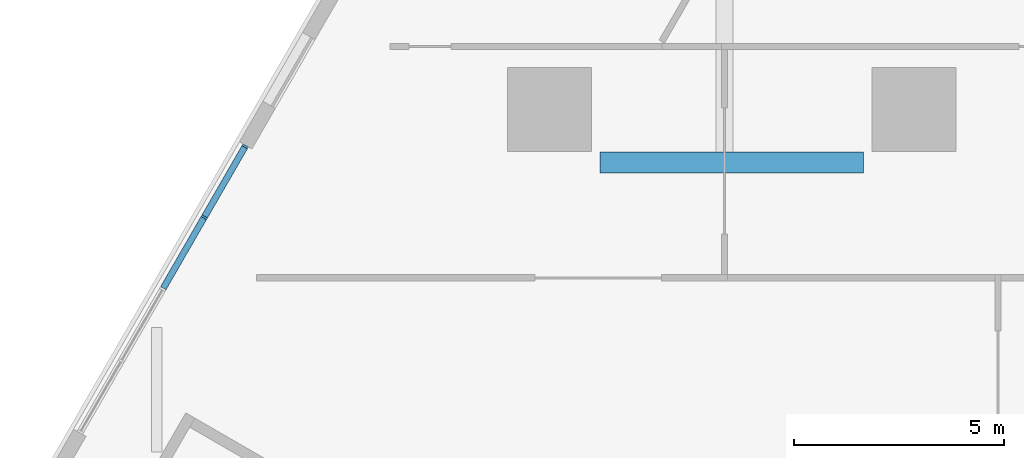
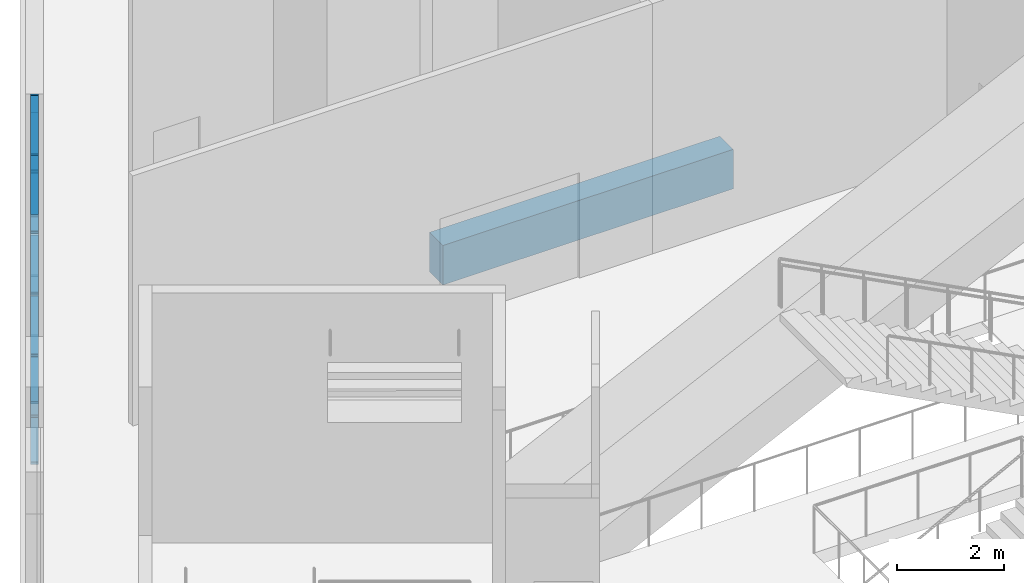
# One storey, part 3 of 27: 14 members, 1 beam, 1 element without a shape of its own.
"""IFC4 building model written with IfcOpenShell, lengths in metres."""

import ifcopenshell
import ifcopenshell.guid

model = None  # the IFC model being written
_history = None  # IfcOwnerHistory: only IFC2X3 demands one
_inside = {}  # id of a spatial element -> (the spatial element, [elements in it])
_under = {}  # id of a project, library or spatial element -> (it, [spatial elements below it])
_declared = {}  # id of a project -> (the project, [libraries it declares])
_typed = {}  # id of a type object -> (the type object, [elements of that type])
_made_of = {}  # id of a material, layer set ... -> (it, [elements and type objects made of it])


def new_model(schema):
    """Start an empty IFC model of exactly this schema.

    Asked for "IFC4X3", IfcOpenShell would pick the latest addendum, in which some entities
    have other attributes; the version numbers below select the first issue.
    IFC2X3 requires an IfcOwnerHistory on every rooted entity: one is made here for all.
    """
    global model, _history
    if schema == "IFC4X3":
        model = ifcopenshell.file(schema_version=(4, 3, 0, 0))
    else:
        model = ifcopenshell.file(schema=schema)
    _inside.clear()
    _under.clear()
    _declared.clear()
    _typed.clear()
    _made_of.clear()
    _history = None
    if model.schema == "IFC2X3":
        org = make("IfcOrganization", Name="unknown")
        user = make(
            "IfcPersonAndOrganization",
            ThePerson=make("IfcPerson", FamilyName="unknown"),
            TheOrganization=org,
        )
        app = make(
            "IfcApplication",
            ApplicationDeveloper=org,
            Version="unknown",
            ApplicationFullName="unknown",
            ApplicationIdentifier="unknown",
        )
        _history = make(
            "IfcOwnerHistory",
            OwningUser=user,
            OwningApplication=app,
            ChangeAction="ADDED",
            CreationDate=0,
        )
    return model


def make(cls, **values):
    """One entity of the class cls with the attributes given. An attribute that is None is left unset."""
    return model.create_entity(
        cls, **{name: value for name, value in values.items() if value is not None}
    )


def rooted(cls, **values):
    """An entity with a GlobalId (a new one), such as an element, a storey or a relation."""
    return make(cls, GlobalId=ifcopenshell.guid.new(), OwnerHistory=_history, **values)


def si_unit(unit_type, name, prefix=None):
    """IfcSIUnit, for example si_unit("LENGTHUNIT", "METRE", prefix="MILLI")."""
    return make("IfcSIUnit", UnitType=unit_type, Prefix=prefix, Name=name)


def assignment(units):
    """IfcUnitAssignment: the units of a project."""
    return None if units is None else make("IfcUnitAssignment", Units=units)


def point(xyz):
    """IfcCartesianPoint."""
    return None if xyz is None else make("IfcCartesianPoint", Coordinates=xyz)


def direction(xyz):
    """IfcDirection."""
    return None if xyz is None else make("IfcDirection", DirectionRatios=xyz)


def frame(location, z_axis=None, x_axis=None):
    """IfcAxis2Placement3D, a coordinate frame: its origin and axes. An axis left out is left unset."""
    return make(
        "IfcAxis2Placement3D",
        Location=point(location),
        Axis=direction(z_axis),
        RefDirection=direction(x_axis),
    )


def frame_2d(location, x_axis=None):
    """IfcAxis2Placement2D, a coordinate frame in the plane: its origin and x axis."""
    return make(
        "IfcAxis2Placement2D", Location=point(location), RefDirection=direction(x_axis)
    )


def origin():
    """The frame at (0, 0, 0) with its axes left unset."""
    return frame((0.0, 0.0, 0.0))


def origin_2d():
    """The frame at (0, 0) in the plane with its x axis left unset."""
    return frame_2d((0.0, 0.0))


def place(relative_to, where):
    """IfcLocalPlacement: puts the frame where relative to a parent placement (None: the world)."""
    return make(
        "IfcLocalPlacement", PlacementRelTo=relative_to, RelativePlacement=where
    )


def context(
    kind, dimensions, precision=None, world=None, true_north=None, identifier=None
):
    """IfcGeometricRepresentationContext, for example the 3D "Model" context."""
    return make(
        "IfcGeometricRepresentationContext",
        ContextIdentifier=identifier,
        ContextType=kind,
        CoordinateSpaceDimension=dimensions,
        Precision=precision,
        WorldCoordinateSystem=world,
        TrueNorth=true_north,
    )


def subcontext(parent, identifier, kind, view, scale=None):
    """IfcGeometricRepresentationSubContext, for example "Body" below "Model"."""
    return make(
        "IfcGeometricRepresentationSubContext",
        ContextIdentifier=identifier,
        ContextType=kind,
        ParentContext=parent,
        TargetScale=scale,
        TargetView=view,
    )


def project(units=None, contexts=None):
    """IfcProject with its units and contexts."""
    return rooted(
        "IfcProject",
        Name="project",
        RepresentationContexts=contexts,
        UnitsInContext=assignment(units),
    )


def spatial(cls, under=None, at=None, **own):
    """A site, building, storey or space (cls), placed at a placement, below another one or the project."""
    s = rooted(cls, ObjectPlacement=at, **own)
    if under is not None:
        _under.setdefault(under.id(), (under, []))[1].append(s)
    return s


def profile(cls, at=None, kind="AREA", **sizes):
    """A parametric profile (cls). Its sizes go by their IFC names, for example OverallWidth=200.0."""
    return make(cls, ProfileType=kind, Position=at, **sizes)


def rectangle(**sizes):
    """IfcRectangleProfileDef."""
    return profile("IfcRectangleProfileDef", **sizes)


def extrude(swept, where, along, depth):
    """IfcExtrudedAreaSolid: the profile swept, set in the frame where, extruded along a direction by depth."""
    return make(
        "IfcExtrudedAreaSolid",
        SweptArea=swept,
        Position=where,
        ExtrudedDirection=direction(along),
        Depth=depth,
    )


def shape(context_of_items, identifier, shape_type, items):
    """IfcShapeRepresentation: the items that make up one representation, for example the "Body"."""
    return make(
        "IfcShapeRepresentation",
        ContextOfItems=context_of_items,
        RepresentationIdentifier=identifier,
        RepresentationType=shape_type,
        Items=items,
    )


def material(Name=None, Category=None):
    """IfcMaterial."""
    return make("IfcMaterial", Name=Name, Category=Category)


def material_profile(
    of_material, cross_section, Name=None, Category=None, Priority=None
):
    """IfcMaterialProfile: a cross section and its material."""
    return make(
        "IfcMaterialProfile",
        Name=Name,
        Material=of_material,
        Profile=cross_section,
        Priority=Priority,
        Category=Category,
    )


def profile_set(profiles, Name=None, composite=None):
    """IfcMaterialProfileSet."""
    return make(
        "IfcMaterialProfileSet",
        Name=Name,
        MaterialProfiles=profiles,
        CompositeProfile=composite,
    )


def made_of(thing, what):
    """Note that an element or type object is made of a material, layer set ...; save() writes the relation."""
    if what is not None:
        _made_of.setdefault(what.id(), (what, []))[1].append(thing)
    return thing


def type_object(cls, material=None, **own):
    """A type object (cls), such as IfcWallType, which elements share."""
    return made_of(rooted(cls, **own), material)


def element(
    cls,
    number,
    at=None,
    inside=None,
    cuts=None,
    type_object=None,
    material=None,
    context=None,
    identifier="Body",
    shape_type=None,
    held_by="IfcProductDefinitionShape",
    body=None,
    shapes=None,
    **own,
):
    """One element of the class cls, such as IfcWall. Its Tag is "e" and its number.

    at: its placement. inside: the storey or other place that contains it. cuts: it is an
    opening in that element (IfcRelVoidsElement). A single representation is given by context,
    identifier, shape_type and body (its items); several are given by shapes. held_by: the class
    of the entity that holds the representations. save() writes the other relations.
    """
    e = rooted(cls, Tag="e%d" % number, ObjectPlacement=at, **own)
    if body is not None:
        shapes = [shape(context, identifier, shape_type, body)]
    if shapes is not None:
        e.Representation = make(held_by, Representations=shapes)
    if inside is not None:
        _inside.setdefault(inside.id(), (inside, []))[1].append(e)
    if cuts is not None:
        rooted(
            "IfcRelVoidsElement", RelatingBuildingElement=cuts, RelatedOpeningElement=e
        )
    if type_object is not None:
        _typed.setdefault(type_object.id(), (type_object, []))[1].append(e)
    return made_of(e, material)


def aggregate(whole, parts):
    """IfcRelAggregates: a whole, such as a stair, and the parts it consists of."""
    return rooted("IfcRelAggregates", RelatingObject=whole, RelatedObjects=parts)


def save(model, path):
    """Write the relations noted so far, then the file.

    IfcRelAggregates (storeys below a building ...), IfcRelContainedInSpatialStructure (elements
    in a storey), IfcRelDefinesByType, IfcRelAssociatesMaterial and IfcRelDeclares: one each for
    every whole, place, type object, material and project.
    """
    for whole, parts in _under.values():
        aggregate(whole, parts)
    for where, things in _inside.values():
        rooted(
            "IfcRelContainedInSpatialStructure",
            RelatedElements=things,
            RelatingStructure=where,
        )
    for kind, things in _typed.values():
        rooted("IfcRelDefinesByType", RelatedObjects=things, RelatingType=kind)
    for what, things in _made_of.values():
        rooted("IfcRelAssociatesMaterial", RelatedObjects=things, RelatingMaterial=what)
    for by, libraries in _declared.values():
        rooted("IfcRelDeclares", RelatingContext=by, RelatedDefinitions=libraries)
    model.write(path)


model = new_model("IFC4")

# Units and contexts
model_context = context("Model", 3, precision=1e-05, world=origin(), true_north=direction((0.0, 1.0)))
body_context = subcontext(model_context, "Body", "Model", "MODEL_VIEW")
ifc_project = project(units=[si_unit("LENGTHUNIT", "METRE"), si_unit("AREAUNIT", "SQUARE_METRE"), si_unit("VOLUMEUNIT", "CUBIC_METRE"), si_unit("PLANEANGLEUNIT", "RADIAN"), si_unit("MASSUNIT", "GRAM", prefix="KILO")], contexts=[model_context])

# Site, building, storey
site_placement = place(None, origin())
site = spatial("IfcSite", under=ifc_project, at=site_placement, CompositionType="ELEMENT")
building_placement = place(site_placement, origin())
building = spatial("IfcBuilding", under=site, at=building_placement, Name="Fogline Exchange Tower", CompositionType="ELEMENT")
storey_placement = place(building_placement, frame((0.0, 0.0, 8.0)))
storey = spatial("IfcBuildingStorey", under=building, at=storey_placement, Name="L01", CompositionType="ELEMENT", Elevation=8.0)

# Beam
ifc_material_1 = material(Name="Concrete C40", Category="concrete")
ifc_material_profile_1 = material_profile(ifc_material_1, rectangle(XDim=0.5, YDim=0.89990234375, at=origin_2d()), Name="RC 500x900")
ifc_profile_set_1 = profile_set([ifc_material_profile_1], Name="Concrete C40")
beam_type = type_object("IfcBeamType", Name="B02", PredefinedType="BEAM", material=ifc_profile_set_1)
beam_placement = place(storey_placement, frame((-20.9580078125, 31.5, -0.75), z_axis=(1.0, 0.0, 0.0), x_axis=(0.0, 1.0, 0.0)))
element("IfcBeam", 1, at=beam_placement, inside=storey, type_object=beam_type, Name="GB006", PredefinedType="BEAM", context=body_context, shape_type="SweptSolid", body=[
    extrude(rectangle(XDim=0.5, YDim=0.89990234375, at=origin_2d()), origin(), (0.0, 0.0, 1.0), 6.258056640625),
])

# Curtain wall, members
ifc_material_2 = material(Name="Aluminium and glass", Category="aluminium")
curtain_wall_type = type_object("IfcCurtainWallType", Name="CW3", PredefinedType="NOTDEFINED", material=ifc_material_2)
curtain_wall_placement = place(storey_placement, origin())
curtain_wall = element("IfcCurtainWall", 2, at=curtain_wall_placement, inside=storey, type_object=curtain_wall_type, Name="CW3 L01 W run 3", PredefinedType="NOTDEFINED")
ifc_material_3 = material(Name="Aluminium", Category="aluminium")
ifc_material_profile_2 = material_profile(ifc_material_3, rectangle(XDim=0.14990234375, YDim=0.050048828125, at=origin_2d()), Name="Mullion 50x150")
ifc_profile_set_2 = profile_set([ifc_material_profile_2], Name="Aluminium")
member_type_1 = type_object("IfcMemberType", Name="CW3-M", PredefinedType="MULLION", material=ifc_profile_set_2)
member_1_placement = place(storey_placement, frame((-29.39404296875, 31.886474609375, 0.0), z_axis=(0.0, 0.0, 1.0), x_axis=(0.866025393993, -0.500000016959, 0.0)))
member_1 = element("IfcMember", 3, at=member_1_placement, type_object=member_type_1, Name="CW3-P01-10 mullion 1", PredefinedType="MULLION", context=body_context, shape_type="SweptSolid", body=[
    extrude(rectangle(XDim=0.14990234375, YDim=0.050048828125, at=origin_2d()), origin(), (0.0, 0.0, 1.0), 5.699951171875),
])
member_2_placement = place(storey_placement, frame((-30.3671875, 30.200927734375, 0.0), z_axis=(0.0, 0.0, 1.0), x_axis=(0.866025393993, -0.500000016959, 0.0)))
member_2 = element("IfcMember", 4, at=member_2_placement, type_object=member_type_1, Name="CW3-P01-10 mullion 2", PredefinedType="MULLION", context=body_context, shape_type="SweptSolid", body=[
    extrude(rectangle(XDim=0.14990234375, YDim=0.050048828125, at=origin_2d()), origin(), (0.0, 0.0, 1.0), 5.699951171875),
])
ifc_material_profile_3 = material_profile(ifc_material_3, rectangle(XDim=0.14990234375, YDim=0.06005859375, at=origin_2d()), Name="Transom 60x150")
ifc_profile_set_3 = profile_set([ifc_material_profile_3], Name="Aluminium")
member_type_2 = type_object("IfcMemberType", Name="CW3-T", PredefinedType="USERDEFINED", material=ifc_profile_set_3)
member_3_placement = place(storey_placement, frame((-29.406494140625, 31.86474609375, 0.030029296875), z_axis=(-0.500071657253, -0.865984028497, 0.0), x_axis=(0.865984028497, -0.500071657253, 0.0)))
member_3 = element("IfcMember", 5, at=member_3_placement, type_object=member_type_2, Name="CW3-P01-10 transom 1.1", ObjectType="TRANSOM", PredefinedType="USERDEFINED", context=body_context, shape_type="SweptSolid", body=[
    extrude(rectangle(XDim=0.14990234375, YDim=0.06005859375, at=origin_2d()), origin(), (0.0, 0.0, 1.0), 1.896240234375),
])
member_4_placement = place(storey_placement, frame((-29.406494140625, 31.86474609375, 1.10009765625), z_axis=(-0.500071657253, -0.865984028497, 0.0), x_axis=(0.865984028497, -0.500071657253, 0.0)))
member_4 = element("IfcMember", 6, at=member_4_placement, type_object=member_type_2, Name="CW3-P01-10 transom 1.2", ObjectType="TRANSOM", PredefinedType="USERDEFINED", context=body_context, shape_type="SweptSolid", body=[
    extrude(rectangle(XDim=0.14990234375, YDim=0.06005859375, at=origin_2d()), origin(), (0.0, 0.0, 1.0), 1.896240234375),
])
member_5_placement = place(storey_placement, frame((-29.406494140625, 31.86474609375, 2.5), z_axis=(-0.500071657253, -0.865984028497, 0.0), x_axis=(0.865984028497, -0.500071657253, 0.0)))
member_5 = element("IfcMember", 7, at=member_5_placement, type_object=member_type_2, Name="CW3-P01-10 transom 1.3", ObjectType="TRANSOM", PredefinedType="USERDEFINED", context=body_context, shape_type="SweptSolid", body=[
    extrude(rectangle(XDim=0.14990234375, YDim=0.06005859375, at=origin_2d()), origin(), (0.0, 0.0, 1.0), 1.896240234375),
])
member_6_placement = place(storey_placement, frame((-29.406494140625, 31.86474609375, 3.89990234375), z_axis=(-0.500071657253, -0.865984028497, 0.0), x_axis=(0.865984028497, -0.500071657253, 0.0)))
member_6 = element("IfcMember", 8, at=member_6_placement, type_object=member_type_2, Name="CW3-P01-10 transom 1.4", ObjectType="TRANSOM", PredefinedType="USERDEFINED", context=body_context, shape_type="SweptSolid", body=[
    extrude(rectangle(XDim=0.14990234375, YDim=0.06005859375, at=origin_2d()), origin(), (0.0, 0.0, 1.0), 1.896240234375),
])
member_7_placement = place(storey_placement, frame((-29.406494140625, 31.86474609375, 5.300048828125), z_axis=(-0.500071657253, -0.865984028497, 0.0), x_axis=(0.865984028497, -0.500071657253, 0.0)))
member_7 = element("IfcMember", 9, at=member_7_placement, type_object=member_type_2, Name="CW3-P01-10 transom 1.5", ObjectType="TRANSOM", PredefinedType="USERDEFINED", context=body_context, shape_type="SweptSolid", body=[
    extrude(rectangle(XDim=0.14990234375, YDim=0.06005859375, at=origin_2d()), origin(), (0.0, 0.0, 1.0), 1.896240234375),
])
member_8_placement = place(storey_placement, frame((-29.406494140625, 31.86474609375, 5.669921875), z_axis=(-0.500071657253, -0.865984028497, 0.0), x_axis=(0.865984028497, -0.500071657253, 0.0)))
member_8 = element("IfcMember", 10, at=member_8_placement, type_object=member_type_2, Name="CW3-P01-10 transom 1.6", ObjectType="TRANSOM", PredefinedType="USERDEFINED", context=body_context, shape_type="SweptSolid", body=[
    extrude(rectangle(XDim=0.14990234375, YDim=0.06005859375, at=origin_2d()), origin(), (0.0, 0.0, 1.0), 1.896240234375),
])
member_9_placement = place(storey_placement, frame((-30.379638671875, 30.179443359375, 0.030029296875), z_axis=(-0.499979088899, -0.866037476477, 0.0), x_axis=(0.866037476477, -0.499979088899, 0.0)))
member_9 = element("IfcMember", 11, at=member_9_placement, type_object=member_type_2, Name="CW3-P01-10 transom 2.1", ObjectType="TRANSOM", PredefinedType="USERDEFINED", context=body_context, shape_type="SweptSolid", body=[
    extrude(rectangle(XDim=0.14990234375, YDim=0.06005859375, at=origin_2d()), origin(), (0.0, 0.0, 1.0), 1.92138671875),
])
member_10_placement = place(storey_placement, frame((-30.379638671875, 30.179443359375, 1.10009765625), z_axis=(-0.499979088899, -0.866037476477, 0.0), x_axis=(0.866037476477, -0.499979088899, 0.0)))
member_10 = element("IfcMember", 12, at=member_10_placement, type_object=member_type_2, Name="CW3-P01-10 transom 2.2", ObjectType="TRANSOM", PredefinedType="USERDEFINED", context=body_context, shape_type="SweptSolid", body=[
    extrude(rectangle(XDim=0.14990234375, YDim=0.06005859375, at=origin_2d()), origin(), (0.0, 0.0, 1.0), 1.92138671875),
])
member_11_placement = place(storey_placement, frame((-30.379638671875, 30.179443359375, 2.5), z_axis=(-0.499979088899, -0.866037476477, 0.0), x_axis=(0.866037476477, -0.499979088899, 0.0)))
member_11 = element("IfcMember", 13, at=member_11_placement, type_object=member_type_2, Name="CW3-P01-10 transom 2.3", ObjectType="TRANSOM", PredefinedType="USERDEFINED", context=body_context, shape_type="SweptSolid", body=[
    extrude(rectangle(XDim=0.14990234375, YDim=0.06005859375, at=origin_2d()), origin(), (0.0, 0.0, 1.0), 1.92138671875),
])
member_12_placement = place(storey_placement, frame((-30.379638671875, 30.179443359375, 3.89990234375), z_axis=(-0.499979088899, -0.866037476477, 0.0), x_axis=(0.866037476477, -0.499979088899, 0.0)))
member_12 = element("IfcMember", 14, at=member_12_placement, type_object=member_type_2, Name="CW3-P01-10 transom 2.4", ObjectType="TRANSOM", PredefinedType="USERDEFINED", context=body_context, shape_type="SweptSolid", body=[
    extrude(rectangle(XDim=0.14990234375, YDim=0.06005859375, at=origin_2d()), origin(), (0.0, 0.0, 1.0), 1.92138671875),
])
member_13_placement = place(storey_placement, frame((-30.379638671875, 30.179443359375, 5.300048828125), z_axis=(-0.499979088899, -0.866037476477, 0.0), x_axis=(0.866037476477, -0.499979088899, 0.0)))
member_13 = element("IfcMember", 15, at=member_13_placement, type_object=member_type_2, Name="CW3-P01-10 transom 2.5", ObjectType="TRANSOM", PredefinedType="USERDEFINED", context=body_context, shape_type="SweptSolid", body=[
    extrude(rectangle(XDim=0.14990234375, YDim=0.06005859375, at=origin_2d()), origin(), (0.0, 0.0, 1.0), 1.92138671875),
])
member_14_placement = place(storey_placement, frame((-30.379638671875, 30.179443359375, 5.669921875), z_axis=(-0.499979088899, -0.866037476477, 0.0), x_axis=(0.866037476477, -0.499979088899, 0.0)))
member_14 = element("IfcMember", 16, at=member_14_placement, type_object=member_type_2, Name="CW3-P01-10 transom 2.6", ObjectType="TRANSOM", PredefinedType="USERDEFINED", context=body_context, shape_type="SweptSolid", body=[
    extrude(rectangle(XDim=0.14990234375, YDim=0.06005859375, at=origin_2d()), origin(), (0.0, 0.0, 1.0), 1.92138671875),
])
aggregate(curtain_wall, [member_1, member_2, member_3, member_4, member_5, member_6, member_7, member_8, member_9, member_10, member_11, member_12, member_13, member_14])

save(model, "model.ifc")
